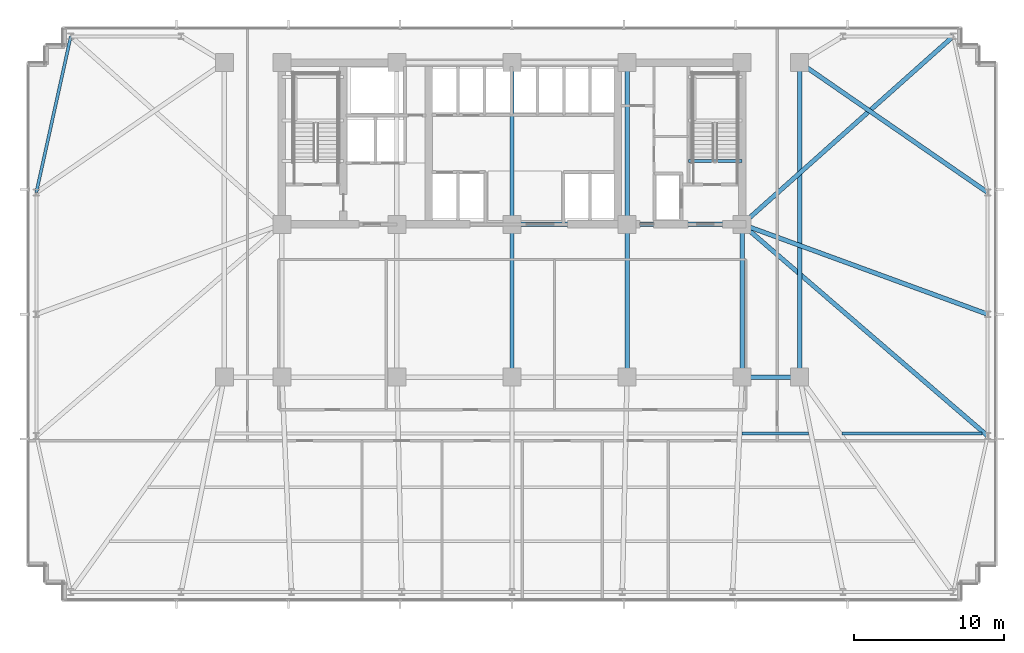
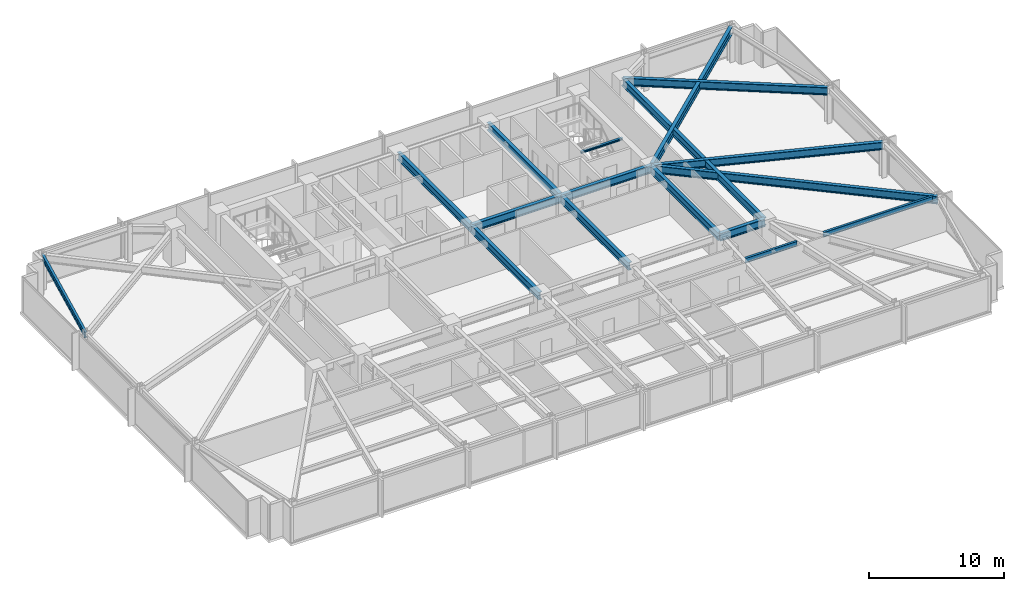
# One storey, part 16 of 33: 17 beams.
"""IFC4 building model written with IfcOpenShell, lengths in metres."""

from ifc_helpers import new_model, si_unit, direction, frame, origin, origin_2d, place, context, subcontext, project, spatial, i_section, extrude, material, material_profile, profile_set, type_object, element, save


model = new_model("IFC4")

# Units and contexts
model_context = context("Model", 3, precision=1e-05, world=origin(), true_north=direction((0.0, 1.0)))
body_context = subcontext(model_context, "Body", "Model", "MODEL_VIEW")
ifc_project = project(units=[si_unit("LENGTHUNIT", "METRE"), si_unit("AREAUNIT", "SQUARE_METRE"), si_unit("VOLUMEUNIT", "CUBIC_METRE"), si_unit("PLANEANGLEUNIT", "RADIAN"), si_unit("MASSUNIT", "GRAM", prefix="KILO")], contexts=[model_context])

# Site, building, storey
site_placement = place(None, origin())
site = spatial("IfcSite", under=ifc_project, at=site_placement, CompositionType="ELEMENT")
building_placement = place(site_placement, origin())
building = spatial("IfcBuilding", under=site, at=building_placement, Name="Yelkora Congress Tower", CompositionType="ELEMENT")
storey_placement = place(building_placement, frame((0.0, 0.0, 37.199951171875)))
storey = spatial("IfcBuildingStorey", under=building, at=storey_placement, Name="L08", CompositionType="ELEMENT", Elevation=37.199951171875)

# Beams
ifc_material = material(Name="Steel S355J2", Category="steel")
ifc_material_profile_1 = material_profile(ifc_material, i_section(OverallWidth=0.300048828125, OverallDepth=0.699951171875, WebThickness=0.01708984375, FlangeThickness=0.031982421875, FilletRadius=0.027099609375, at=origin_2d()), Name="HEB 700")
ifc_profile_set_1 = profile_set([ifc_material_profile_1], Name="Steel S355J2")
beam_type_1 = type_object("IfcBeamType", Name="BM-GIRD-HEB700", PredefinedType="BEAM", material=ifc_profile_set_1)
beam_1_placement = place(storey_placement, frame((53.760009765625, 25.199951171875, 2.830078125), z_axis=(1.0, 0.0, 0.0), x_axis=(0.0, 1.0, 0.0)))
element("IfcBeam", 1, at=beam_1_placement, inside=storey, type_object=beam_type_1, Name="L08 Spine Grid D Girder 6", PredefinedType="BEAM", context=body_context, shape_type="SweptSolid", body=[
    extrude(i_section(OverallWidth=0.300048828125, OverallDepth=0.699951171875, WebThickness=0.01708984375, FlangeThickness=0.031982421875, FilletRadius=0.027099609375, at=origin_2d()), origin(), (0.0, 0.0, 1.0), 3.840087890625),
])
beam_2_placement = place(storey_placement, frame((38.39990234375, 35.39990234375, 2.830078125), z_axis=(1.0, 0.0, 0.0), x_axis=(0.0, 1.0, 0.0)))
element("IfcBeam", 2, at=beam_2_placement, inside=storey, type_object=beam_type_1, Name="L08 Core South Girder 3", PredefinedType="BEAM", context=body_context, shape_type="SweptSolid", body=[
    extrude(i_section(OverallWidth=0.300048828125, OverallDepth=0.699951171875, WebThickness=0.01708984375, FlangeThickness=0.031982421875, FilletRadius=0.027099609375, at=origin_2d()), origin(), (0.0, 0.0, 1.0), 7.68017578125),
])
beam_3_placement = place(storey_placement, frame((46.080078125, 35.39990234375, 2.830078125), z_axis=(1.0, 0.0, 0.0), x_axis=(0.0, 1.0, 0.0)))
element("IfcBeam", 3, at=beam_3_placement, inside=storey, type_object=beam_type_1, Name="L08 Core South Girder 4", PredefinedType="BEAM", context=body_context, shape_type="SweptSolid", body=[
    extrude(i_section(OverallWidth=0.300048828125, OverallDepth=0.699951171875, WebThickness=0.01708984375, FlangeThickness=0.031982421875, FilletRadius=0.027099609375, at=origin_2d()), origin(), (0.0, 0.0, 1.0), 7.679931640625),
])
beam_4_placement = place(storey_placement, frame((38.39990234375, 25.199951171875, 2.830078125), z_axis=(0.0, 1.0, 0.0), x_axis=(-1.0, 0.0, 0.0)))
element("IfcBeam", 4, at=beam_4_placement, inside=storey, type_object=beam_type_1, Name="L08 Core Tie Girder MC-D3", PredefinedType="BEAM", context=body_context, shape_type="SweptSolid", body=[
    extrude(i_section(OverallWidth=0.300048828125, OverallDepth=0.699951171875, WebThickness=0.01708984375, FlangeThickness=0.031982421875, FilletRadius=0.027099609375, at=origin_2d()), origin(), (0.0, 0.0, 1.0), 10.199951171875),
])
beam_5_placement = place(storey_placement, frame((38.39990234375, 35.39990234375, 2.830078125), z_axis=(0.0, 1.0, 0.0), x_axis=(-1.0, 0.0, 0.0)))
element("IfcBeam", 5, at=beam_5_placement, inside=storey, type_object=beam_type_1, Name="L08 Core Tie Girder MC-S3", PredefinedType="BEAM", context=body_context, shape_type="SweptSolid", body=[
    extrude(i_section(OverallWidth=0.300048828125, OverallDepth=0.699951171875, WebThickness=0.01708984375, FlangeThickness=0.031982421875, FilletRadius=0.027099609375, at=origin_2d()), origin(), (0.0, 0.0, 1.0), 10.800048828125),
])
beam_6_placement = place(storey_placement, frame((46.080078125, 25.199951171875, 2.830078125), z_axis=(0.0, 1.0, 0.0), x_axis=(-1.0, 0.0, 0.0)))
element("IfcBeam", 6, at=beam_6_placement, inside=storey, type_object=beam_type_1, Name="L08 Core Tie Girder MC-D4", PredefinedType="BEAM", context=body_context, shape_type="SweptSolid", body=[
    extrude(i_section(OverallWidth=0.300048828125, OverallDepth=0.699951171875, WebThickness=0.01708984375, FlangeThickness=0.031982421875, FilletRadius=0.027099609375, at=origin_2d()), origin(), (0.0, 0.0, 1.0), 10.199951171875),
])
beam_7_placement = place(storey_placement, frame((46.080078125, 35.39990234375, 2.830078125), z_axis=(0.0, 1.0, 0.0), x_axis=(-1.0, 0.0, 0.0)))
element("IfcBeam", 7, at=beam_7_placement, inside=storey, type_object=beam_type_1, Name="L08 Core Tie Girder MC-S4", PredefinedType="BEAM", context=body_context, shape_type="SweptSolid", body=[
    extrude(i_section(OverallWidth=0.300048828125, OverallDepth=0.699951171875, WebThickness=0.01708984375, FlangeThickness=0.031982421875, FilletRadius=0.027099609375, at=origin_2d()), origin(), (0.0, 0.0, 1.0), 10.800048828125),
])
beam_8_placement = place(storey_placement, frame((53.760009765625, 25.199951171875, 2.830078125), z_axis=(0.0, 1.0, 0.0), x_axis=(-1.0, 0.0, 0.0)))
element("IfcBeam", 8, at=beam_8_placement, inside=storey, type_object=beam_type_1, Name="L08 Core Tie Girder MC-D5", PredefinedType="BEAM", context=body_context, shape_type="SweptSolid", body=[
    extrude(i_section(OverallWidth=0.300048828125, OverallDepth=0.699951171875, WebThickness=0.01708984375, FlangeThickness=0.031982421875, FilletRadius=0.027099609375, at=origin_2d()), origin(), (0.0, 0.0, 1.0), 10.199951171875),
])
beam_9_placement = place(storey_placement, frame((57.60009765625, 25.199951171875, 2.830078125), z_axis=(0.0, 1.0, 0.0), x_axis=(-1.0, 0.0, 0.0)))
element("IfcBeam", 9, at=beam_9_placement, inside=storey, type_object=beam_type_1, Name="L08 Neck Flank Girder MC-F2", PredefinedType="BEAM", context=body_context, shape_type="SweptSolid", body=[
    extrude(i_section(OverallWidth=0.300048828125, OverallDepth=0.699951171875, WebThickness=0.01708984375, FlangeThickness=0.031982421875, FilletRadius=0.027099609375, at=origin_2d()), origin(), (0.0, 0.0, 1.0), 21.0),
])
beam_10_placement = place(storey_placement, frame((67.85009765625, 47.949951171875, 2.830078125), z_axis=(-0.746737189621, -0.665119214605, 0.0), x_axis=(0.665119214605, -0.746737189621, 0.0)))
element("IfcBeam", 10, at=beam_10_placement, inside=storey, type_object=beam_type_1, Name="L08 Primary Frame Girder N09", PredefinedType="BEAM", context=body_context, shape_type="SweptSolid", body=[
    extrude(i_section(OverallWidth=0.300048828125, OverallDepth=0.699951171875, WebThickness=0.01708984375, FlangeThickness=0.031982421875, FilletRadius=0.027099609375, at=origin_2d()), origin(), (0.0, 0.0, 1.0), 18.868896484375),
])
beam_11_placement = place(storey_placement, frame((70.14990234375, 21.27490234375, 2.830078125), z_axis=(-0.757506357109, 0.652827786586, 0.0), x_axis=(-0.652827786586, -0.757506357109, 0.0)))
element("IfcBeam", 11, at=beam_11_placement, inside=storey, type_object=beam_type_1, Name="L08 Primary Frame Girder E01", PredefinedType="BEAM", context=body_context, shape_type="SweptSolid", body=[
    extrude(i_section(OverallWidth=0.300048828125, OverallDepth=0.699951171875, WebThickness=0.01708984375, FlangeThickness=0.031982421875, FilletRadius=0.027099609375, at=origin_2d()), origin(), (0.0, 0.0, 1.0), 21.63671875),
])
beam_12_placement = place(storey_placement, frame((70.14990234375, 29.39990234375, 2.830078125), z_axis=(-0.939054471542, 0.343768380567, 0.0), x_axis=(-0.343768380567, -0.939054471542, 0.0)))
element("IfcBeam", 12, at=beam_12_placement, inside=storey, type_object=beam_type_1, Name="L08 Primary Frame Girder E02", PredefinedType="BEAM", context=body_context, shape_type="SweptSolid", body=[
    extrude(i_section(OverallWidth=0.300048828125, OverallDepth=0.699951171875, WebThickness=0.01708984375, FlangeThickness=0.031982421875, FilletRadius=0.027099609375, at=origin_2d()), origin(), (0.0, 0.0, 1.0), 17.45361328125),
])
beam_13_placement = place(storey_placement, frame((70.14990234375, 37.52490234375, 2.830078125), z_axis=(-0.822599280139, 0.568621512357, 0.0), x_axis=(-0.568621512357, -0.822599280139, 0.0)))
element("IfcBeam", 13, at=beam_13_placement, inside=storey, type_object=beam_type_1, Name="L08 Primary Frame Girder E03", PredefinedType="BEAM", context=body_context, shape_type="SweptSolid", body=[
    extrude(i_section(OverallWidth=0.300048828125, OverallDepth=0.699951171875, WebThickness=0.01708984375, FlangeThickness=0.031982421875, FilletRadius=0.027099609375, at=origin_2d()), origin(), (0.0, 0.0, 1.0), 15.25634765625),
])
ifc_material_profile_2 = material_profile(ifc_material, i_section(OverallWidth=0.18994140625, OverallDepth=0.449951171875, WebThickness=0.009521484375, FlangeThickness=0.0146484375, FilletRadius=0.02099609375, at=origin_2d()), Name="IPE 450")
ifc_profile_set_2 = profile_set([ifc_material_profile_2], Name="Steel S355J2")
beam_type_2 = type_object("IfcBeamType", Name="BM-JOIST-IPE450", PredefinedType="JOIST", material=ifc_profile_set_2)
beam_14_placement = place(storey_placement, frame((53.754150390625, 21.449951171875, 2.955078125), z_axis=(1.0, 0.0, 0.0), x_axis=(0.0, 1.0, 0.0)))
element("IfcBeam", 14, at=beam_14_placement, inside=storey, type_object=beam_type_2, Name="L08 Composite Floor Joist 22", PredefinedType="JOIST", context=body_context, shape_type="SweptSolid", body=[
    extrude(i_section(OverallWidth=0.18994140625, OverallDepth=0.449951171875, WebThickness=0.009521484375, FlangeThickness=0.0146484375, FilletRadius=0.02099609375, at=origin_2d()), origin(), (0.0, 0.0, 1.0), 4.4404296875),
])
beam_15_placement = place(storey_placement, frame((60.438720703125, 21.449951171875, 2.955078125), z_axis=(1.0, 0.0, 0.0), x_axis=(0.0, 1.0, 0.0)))
element("IfcBeam", 15, at=beam_15_placement, inside=storey, type_object=beam_type_2, Name="L08 Composite Floor Joist 23", PredefinedType="JOIST", context=body_context, shape_type="SweptSolid", body=[
    extrude(i_section(OverallWidth=0.18994140625, OverallDepth=0.449951171875, WebThickness=0.009521484375, FlangeThickness=0.0146484375, FilletRadius=0.02099609375, at=origin_2d()), origin(), (0.0, 0.0, 1.0), 9.34814453125),
])
ifc_material_profile_3 = material_profile(ifc_material, i_section(OverallWidth=0.199951171875, OverallDepth=0.18994140625, WebThickness=0.006591796875, FlangeThickness=0.010009765625, FilletRadius=0.01806640625, at=origin_2d()), Name="HEA 200")
ifc_profile_set_3 = profile_set([ifc_material_profile_3], Name="Steel S355J2")
beam_type_3 = type_object("IfcBeamType", Name="BM-LAND-HEA200", PredefinedType="BEAM", material=ifc_profile_set_3)
beam_16_placement = place(storey_placement, frame((50.179931640625, 39.639892578125, 2.947509765625), z_axis=(1.0, 0.0, 0.0), x_axis=(0.0, 1.0, 0.0)))
element("IfcBeam", 16, at=beam_16_placement, inside=storey, type_object=beam_type_3, Name="ST-02 L08 Floor Arrival Stringer Header Beam", PredefinedType="BEAM", context=body_context, shape_type="SweptSolid", body=[
    extrude(i_section(OverallWidth=0.199951171875, OverallDepth=0.18994140625, WebThickness=0.006591796875, FlangeThickness=0.010009765625, FilletRadius=0.01806640625, at=origin_2d()), origin(), (0.0, 0.0, 1.0), 3.580078125),
])
ifc_material_profile_4 = material_profile(ifc_material, i_section(OverallWidth=0.199951171875, OverallDepth=0.5, WebThickness=0.01025390625, FlangeThickness=0.01611328125, FilletRadius=0.02099609375, at=origin_2d()), Name="IPE 500")
ifc_profile_set_4 = profile_set([ifc_material_profile_4], Name="Steel S355J2")
beam_type_4 = type_object("IfcBeamType", Name="BM-SPAN-IPE500", PredefinedType="SPANDREL", material=ifc_profile_set_4)
beam_17_placement = place(storey_placement, frame((8.949951171875, 47.949951171875, 2.929931640625), z_axis=(-0.215445894778, -0.976515778891, 0.0), x_axis=(0.976515778891, -0.215445894778, 0.0)))
element("IfcBeam", 17, at=beam_17_placement, inside=storey, type_object=beam_type_4, Name="L08 Perimeter Beam 17", PredefinedType="SPANDREL", context=body_context, shape_type="SweptSolid", body=[
    extrude(i_section(OverallWidth=0.199951171875, OverallDepth=0.5, WebThickness=0.01025390625, FlangeThickness=0.01611328125, FilletRadius=0.02099609375, at=origin_2d()), origin(), (0.0, 0.0, 1.0), 10.67578125),
])

save(model, "model.ifc")
